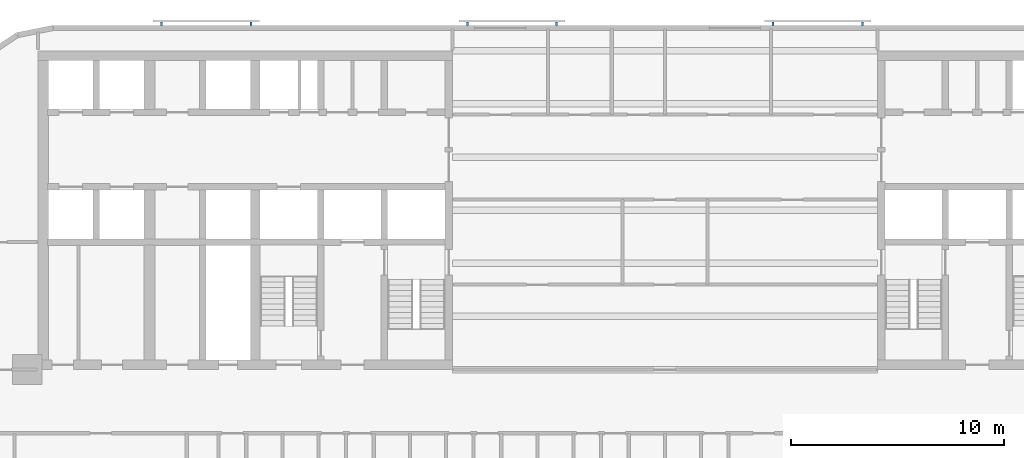
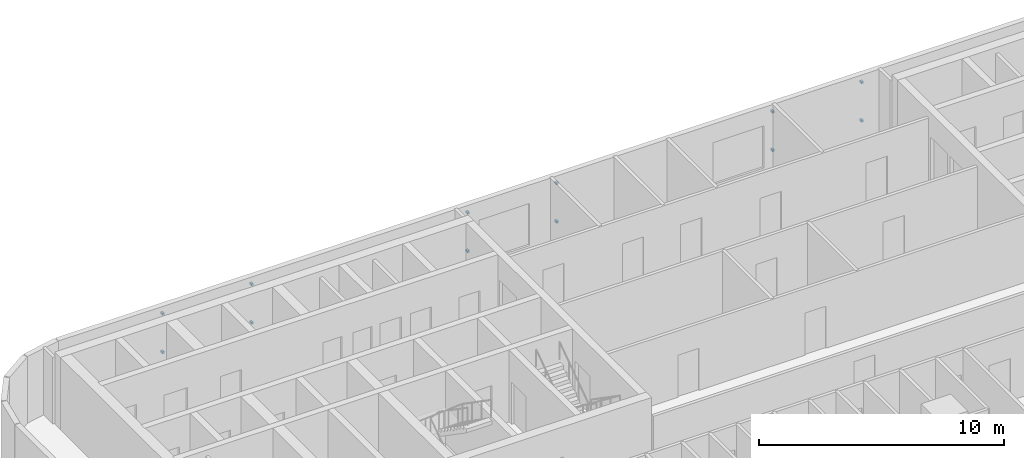
# One storey, part 10 of 14: 12 discrete accessories.
"""IFC4 building model written with IfcOpenShell, lengths in metres."""

from ifc_helpers import new_model, si_unit, direction, frame, origin, origin_2d, place, context, subcontext, project, spatial, rectangle, extrude, material, type_object, element, save


model = new_model("IFC4")

# Units and contexts
model_context = context("Model", 3, precision=1e-05, world=origin(), true_north=direction((0.0, 1.0)))
body_context = subcontext(model_context, "Body", "Model", "MODEL_VIEW")
ifc_project = project(units=[si_unit("LENGTHUNIT", "METRE"), si_unit("AREAUNIT", "SQUARE_METRE"), si_unit("VOLUMEUNIT", "CUBIC_METRE"), si_unit("PLANEANGLEUNIT", "RADIAN"), si_unit("MASSUNIT", "GRAM", prefix="KILO")], contexts=[model_context])

# Site, building, storey
site_placement = place(None, origin())
site = spatial("IfcSite", under=ifc_project, at=site_placement, CompositionType="ELEMENT")
building_placement = place(site_placement, origin())
building = spatial("IfcBuilding", under=site, at=building_placement, Name="Torana Hotel and Residences", CompositionType="ELEMENT")
storey_placement = place(building_placement, frame((0.0, 0.0, 34.800048828125)))
storey = spatial("IfcBuildingStorey", under=building, at=storey_placement, Name="L07", CompositionType="ELEMENT", Elevation=34.800048828125)

# Discrete accessories
ifc_material = material(Name="Steel S355", Category="steel")
discrete_accessory_type = type_object("IfcDiscreteAccessoryType", Name="SCREEN BRACKET 100", PredefinedType="BRACKET", material=ifc_material)
for number, where, z_axis, x_axis, name in (
    (1, (9.293701171875, 1.27490234375, 0.75), (0.0, 0.0, 1.0), (-1.0, 0.0, 0.0), "Screen bracket L07"),
    (2, (9.293701171875, 1.27490234375, 2.669921875), (0.0, 0.0, 1.0), (-1.0, 0.0, 0.0), "Screen bracket L07"),
    (3, (5.09375, 1.27490234375, 0.75), (0.0, 0.0, 1.0), (-1.0, 0.0, 0.0), "Screen bracket L07"),
    (4, (5.09375, 1.27490234375, 2.669921875), (0.0, 0.0, 1.0), (-1.0, 0.0, 0.0), "Screen bracket L07"),
    (5, (-5.09375, 1.27490234375, 0.75), (0.0, 0.0, 1.0), (-1.0, 0.0, 0.0), "Screen bracket L07"),
    (6, (-5.09375, 1.27490234375, 2.669921875), (0.0, 0.0, 1.0), (-1.0, 0.0, 0.0), "Screen bracket L07"),
    (7, (-9.293701171875, 1.27490234375, 0.75), (0.0, 0.0, 1.0), (-1.0, 0.0, 0.0), "Screen bracket L07"),
    (8, (-9.293701171875, 1.27490234375, 2.669921875), (0.0, 0.0, 1.0), (-1.0, 0.0, 0.0), "Screen bracket L07"),
    (9, (-19.4814453125, 1.27490234375, 0.75), (0.0, 0.0, 1.0), (-1.0, 0.0, 0.0), "Screen bracket L07"),
    (10, (-19.4814453125, 1.27490234375, 2.669921875), (0.0, 0.0, 1.0), (-1.0, 0.0, 0.0), "Screen bracket L07"),
    (11, (-23.681396484375, 1.27490234375, 0.75), (0.0, 0.0, 1.0), (-1.0, 0.0, 0.0), "Screen bracket L07"),
    (12, (-23.681396484375, 1.27490234375, 2.669921875), (0.0, 0.0, 1.0), (-1.0, 0.0, 0.0), "Screen bracket L07"),
):
    element("IfcDiscreteAccessory", number, at=place(storey_placement, frame(where, z_axis=z_axis, x_axis=x_axis)), inside=storey, type_object=discrete_accessory_type, Name=name, PredefinedType="BRACKET", context=body_context, shape_type="SweptSolid", body=[
        extrude(rectangle(XDim=0.10009765625, YDim=0.14990234375, at=origin_2d()), origin(), (0.0, 0.0, 1.0), 0.10009765625),
    ])

save(model, "model.ifc")
